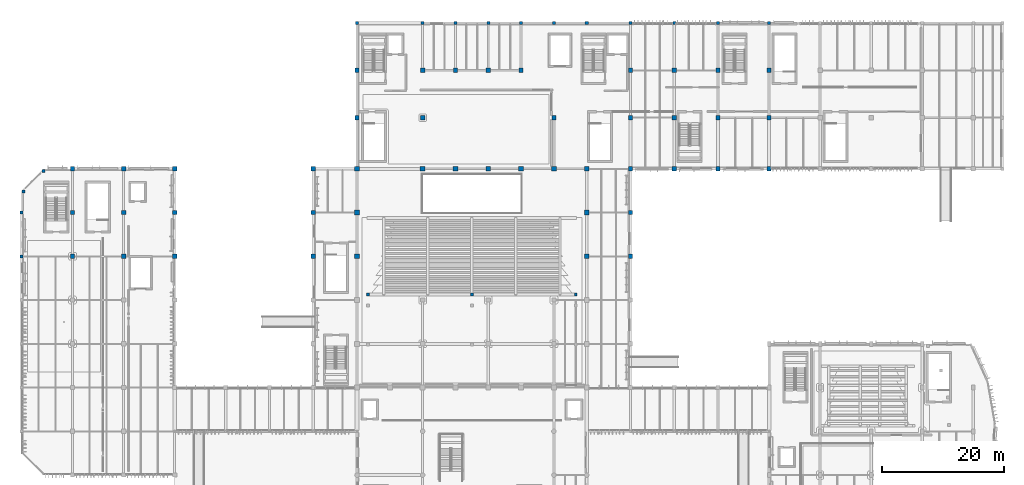
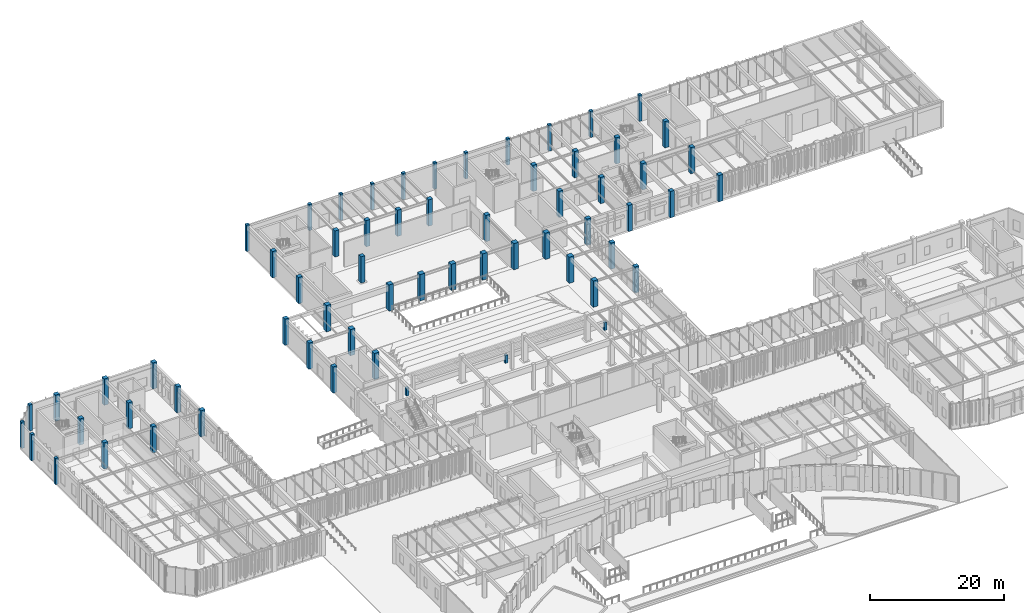
# One storey, part 8 of 122: 63 columns.
"""IFC4 building model written with IfcOpenShell, lengths in metres."""

from ifc_helpers import new_model, si_unit, direction, frame, origin, origin_2d, place, context, subcontext, project, spatial, rectangle, extrude, material, material_profile, profile_set, type_object, element, save


model = new_model("IFC4")

# Units and contexts
model_context = context("Model", 3, precision=1e-05, world=origin(), true_north=direction((0.0, 1.0)))
body_context = subcontext(model_context, "Body", "Model", "MODEL_VIEW")
ifc_project = project(units=[si_unit("LENGTHUNIT", "METRE"), si_unit("AREAUNIT", "SQUARE_METRE"), si_unit("VOLUMEUNIT", "CUBIC_METRE"), si_unit("PLANEANGLEUNIT", "RADIAN"), si_unit("MASSUNIT", "GRAM", prefix="KILO")], contexts=[model_context])

# Site, building, storey
site_placement = place(None, origin())
site = spatial("IfcSite", under=ifc_project, at=site_placement, CompositionType="ELEMENT")
building_placement = place(site_placement, origin())
building = spatial("IfcBuilding", under=site, at=building_placement, Name="Tazoul Stagehouse", CompositionType="ELEMENT")
storey_placement = place(building_placement, origin())
storey = spatial("IfcBuildingStorey", under=building, at=storey_placement, Name="L00", CompositionType="ELEMENT", Elevation=0.0)

# Columns
ifc_material = material(Name="Concrete C40/50", Category="concrete")
ifc_material_profile_1 = material_profile(ifc_material, rectangle(XDim=0.449951171875, YDim=0.449951171875, at=origin_2d()), Name="RC 450x450")
ifc_profile_set_1 = profile_set([ifc_material_profile_1], Name="Concrete C40/50")
column_type_1 = type_object("IfcColumnType", Name="RC Column 450x450", PredefinedType="COLUMN", material=ifc_profile_set_1)
for number, where, z_axis, x_axis, name in (
    (1, (59.39990234375, 67.10009765625, 0.0), (0.0, 0.0, 1.0), (1.0, 0.0, 0.0), "L00 Bowl Support Column C-01 (V1-STALLS-RER-1)"),
    (2, (76.5, 67.10009765625, 0.0), (0.0, 0.0, 1.0), (1.0, 0.0, 0.0), "L00 Bowl Support Column C-01 (V1-STALLS-RER-2)"),
    (3, (93.60009765625, 67.10009765625, 0.0), (0.0, 0.0, 1.0), (1.0, 0.0, 0.0), "L00 Bowl Support Column C-01 (V1-STALLS-RER-3)"),
):
    element("IfcColumn", number, at=place(storey_placement, frame(where, z_axis=z_axis, x_axis=x_axis)), inside=storey, type_object=column_type_1, Name=name, PredefinedType="COLUMN", context=body_context, shape_type="SweptSolid", body=[
        extrude(rectangle(XDim=0.449951171875, YDim=0.449951171875, at=origin_2d()), origin(), (0.0, 0.0, 1.0), 1.4599609375),
    ])
ifc_material_profile_2 = material_profile(ifc_material, rectangle(XDim=0.5, YDim=0.5, at=origin_2d()), Name="RC 500x500")
ifc_profile_set_2 = profile_set([ifc_material_profile_2], Name="Concrete C40/50")
column_type_2 = type_object("IfcColumnType", Name="RC Column 500x500 (Exterior)", PredefinedType="COLUMN", material=ifc_profile_set_2)
for number, where, z_axis, x_axis, name in (
    (4, (2.39990234375, 73.39990234375, 0.0), (0.0, 0.0, 1.0), (1.0, 0.0, 0.0), "L00 Column C-02E at 1/L"),
    (5, (2.39990234375, 80.60009765625, 0.0), (0.0, 0.0, 1.0), (1.0, 0.0, 0.0), "L00 Column C-02E at 1/M"),
    (6, (68.39990234375, 111.800048828125, 0.0), (0.0, 0.0, 1.0), (1.0, 0.0, 0.0), "L00 Column C-02E at 10/R"),
    (7, (73.800048828125, 111.800048828125, 0.0), (0.0, 0.0, 1.0), (1.0, 0.0, 0.0), "L00 Column C-02E at 11/R"),
    (8, (79.199951171875, 111.800048828125, 0.0), (0.0, 0.0, 1.0), (1.0, 0.0, 0.0), "L00 Column C-02E at 12/R"),
    (9, (84.60009765625, 111.800048828125, 0.0), (0.0, 0.0, 1.0), (1.0, 0.0, 0.0), "L00 Column C-02E at 13/R"),
    (10, (90.0, 111.800048828125, 0.0), (0.0, 0.0, 1.0), (1.0, 0.0, 0.0), "L00 Column C-02E at 14/R"),
    (11, (95.39990234375, 111.800048828125, 0.0), (0.0, 0.0, 1.0), (1.0, 0.0, 0.0), "L00 Column C-02E at 15/R"),
    (12, (102.60009765625, 111.800048828125, 0.0), (0.0, 0.0, 1.0), (1.0, 0.0, 0.0), "L00 Column C-02E at 16/R"),
    (13, (109.800048828125, 111.800048828125, 0.0), (0.0, 0.0, 1.0), (1.0, 0.0, 0.0), "L00 Column C-02E at 17/R"),
    (14, (117.0, 111.800048828125, 0.0), (0.0, 0.0, 1.0), (1.0, 0.0, 0.0), "L00 Column C-02E at 18/R"),
    (15, (125.39990234375, 111.800048828125, 0.0), (0.0, 0.0, 1.0), (1.0, 0.0, 0.0), "L00 Column C-02E at 19/R"),
    (16, (57.60009765625, 111.800048828125, 0.0), (0.0, 0.0, 1.0), (1.0, 0.0, 0.0), "L00 Column C-02E at 8/R"),
    (17, (6.0, 87.449951171875, 0.0), (0.0, 0.0, 1.0), (1.0, 0.0, 0.0), "L00 Black-Box Chamfer Column C-02E (1)"),
    (18, (2.75, 84.10009765625, 0.0), (0.0, 0.0, 1.0), (1.0, 0.0, 0.0), "L00 Black-Box Chamfer Column C-02E (2)"),
):
    element("IfcColumn", number, at=place(storey_placement, frame(where, z_axis=z_axis, x_axis=x_axis)), inside=storey, type_object=column_type_2, Name=name, PredefinedType="COLUMN", context=body_context, shape_type="SweptSolid", body=[
        extrude(rectangle(XDim=0.5, YDim=0.5, at=origin_2d()), origin(), (0.0, 0.0, 1.0), 4.800048828125),
    ])
ifc_material_profile_3 = material_profile(ifc_material, rectangle(XDim=0.699951171875, YDim=0.699951171875, at=origin_2d()), Name="RC 700x700")
ifc_profile_set_3 = profile_set([ifc_material_profile_3], Name="Concrete C40/50")
column_type_3 = type_object("IfcColumnType", Name="RC Column 700x700", PredefinedType="COLUMN", material=ifc_profile_set_3)
for number, where, z_axis, x_axis, name in (
    (19, (68.39990234375, 96.199951171875, 0.0), (0.0, 0.0, 1.0), (1.0, 0.0, 0.0), "L00 Column C-04 at 10/P"),
    (20, (68.39990234375, 104.0, 0.0), (0.0, 0.0, 1.0), (1.0, 0.0, 0.0), "L00 Column C-04 at 10/Q"),
    (21, (73.800048828125, 104.0, 0.0), (0.0, 0.0, 1.0), (1.0, 0.0, 0.0), "L00 Column C-04 at 11/Q"),
    (22, (79.199951171875, 104.0, 0.0), (0.0, 0.0, 1.0), (1.0, 0.0, 0.0), "L00 Column C-04 at 12/Q"),
    (23, (84.60009765625, 104.0, 0.0), (0.0, 0.0, 1.0), (1.0, 0.0, 0.0), "L00 Column C-04 at 13/Q"),
    (24, (90.0, 96.199951171875, 0.0), (0.0, 0.0, 1.0), (1.0, 0.0, 0.0), "L00 Column C-04 at 14/P"),
    (25, (102.60009765625, 96.199951171875, 0.0), (0.0, 0.0, 1.0), (1.0, 0.0, 0.0), "L00 Column C-04 at 16/P"),
    (26, (102.60009765625, 104.0, 0.0), (0.0, 0.0, 1.0), (1.0, 0.0, 0.0), "L00 Column C-04 at 16/Q"),
    (27, (109.800048828125, 96.199951171875, 0.0), (0.0, 0.0, 1.0), (1.0, 0.0, 0.0), "L00 Column C-04 at 17/P"),
    (28, (109.800048828125, 104.0, 0.0), (0.0, 0.0, 1.0), (1.0, 0.0, 0.0), "L00 Column C-04 at 17/Q"),
    (29, (117.0, 96.199951171875, 0.0), (0.0, 0.0, 1.0), (1.0, 0.0, 0.0), "L00 Column C-04 at 18/P"),
    (30, (117.0, 104.0, 0.0), (0.0, 0.0, 1.0), (1.0, 0.0, 0.0), "L00 Column C-04 at 18/Q"),
    (31, (125.39990234375, 96.199951171875, 0.0), (0.0, 0.0, 1.0), (1.0, 0.0, 0.0), "L00 Column C-04 at 19/P"),
    (32, (125.39990234375, 104.0, 0.0), (0.0, 0.0, 1.0), (1.0, 0.0, 0.0), "L00 Column C-04 at 19/Q"),
    (33, (10.800048828125, 73.39990234375, 0.0), (0.0, 0.0, 1.0), (1.0, 0.0, 0.0), "L00 Column C-04 at 2/L"),
    (34, (10.800048828125, 80.60009765625, 0.0), (0.0, 0.0, 1.0), (1.0, 0.0, 0.0), "L00 Column C-04 at 2/M"),
    (35, (19.199951171875, 73.39990234375, 0.0), (0.0, 0.0, 1.0), (1.0, 0.0, 0.0), "L00 Column C-04 at 3/L"),
    (36, (19.199951171875, 80.60009765625, 0.0), (0.0, 0.0, 1.0), (1.0, 0.0, 0.0), "L00 Column C-04 at 3/M"),
):
    element("IfcColumn", number, at=place(storey_placement, frame(where, z_axis=z_axis, x_axis=x_axis)), inside=storey, type_object=column_type_3, Name=name, PredefinedType="COLUMN", context=body_context, shape_type="SweptSolid", body=[
        extrude(rectangle(XDim=0.699951171875, YDim=0.699951171875, at=origin_2d()), origin(), (0.0, 0.0, 1.0), 4.800048828125),
    ])
ifc_material_profile_4 = material_profile(ifc_material, rectangle(XDim=0.699951171875, YDim=0.699951171875, at=origin_2d()), Name="RC 700x700")
ifc_profile_set_4 = profile_set([ifc_material_profile_4], Name="Concrete C40/50")
column_type_4 = type_object("IfcColumnType", Name="RC Column 700x700 (Exterior)", PredefinedType="COLUMN", material=ifc_profile_set_4)
for number, where, z_axis, x_axis, name in (
    (37, (102.60009765625, 73.39990234375, 0.0), (0.0, 0.0, 1.0), (1.0, 0.0, 0.0), "L00 Column C-04E at 16/L"),
    (38, (102.60009765625, 80.60009765625, 0.0), (0.0, 0.0, 1.0), (1.0, 0.0, 0.0), "L00 Column C-04E at 16/M"),
    (39, (102.60009765625, 87.800048828125, 0.0), (0.0, 0.0, 1.0), (1.0, 0.0, 0.0), "L00 Column C-04E at 16/N"),
    (40, (109.800048828125, 87.800048828125, 0.0), (0.0, 0.0, 1.0), (1.0, 0.0, 0.0), "L00 Column C-04E at 17/N"),
    (41, (117.0, 87.800048828125, 0.0), (0.0, 0.0, 1.0), (1.0, 0.0, 0.0), "L00 Column C-04E at 18/N"),
    (42, (125.39990234375, 87.800048828125, 0.0), (0.0, 0.0, 1.0), (1.0, 0.0, 0.0), "L00 Column C-04E at 19/N"),
    (43, (10.800048828125, 87.800048828125, 0.0), (0.0, 0.0, 1.0), (1.0, 0.0, 0.0), "L00 Column C-04E at 2/N"),
    (44, (19.199951171875, 87.800048828125, 0.0), (0.0, 0.0, 1.0), (1.0, 0.0, 0.0), "L00 Column C-04E at 3/N"),
    (45, (27.60009765625, 73.39990234375, 0.0), (0.0, 0.0, 1.0), (1.0, 0.0, 0.0), "L00 Column C-04E at 4/L"),
    (46, (27.60009765625, 80.60009765625, 0.0), (0.0, 0.0, 1.0), (1.0, 0.0, 0.0), "L00 Column C-04E at 4/M"),
    (47, (27.60009765625, 87.800048828125, 0.0), (0.0, 0.0, 1.0), (1.0, 0.0, 0.0), "L00 Column C-04E at 4/N"),
    (48, (50.39990234375, 73.39990234375, 0.0), (0.0, 0.0, 1.0), (1.0, 0.0, 0.0), "L00 Column C-04E at 7/L"),
    (49, (50.39990234375, 80.60009765625, 0.0), (0.0, 0.0, 1.0), (1.0, 0.0, 0.0), "L00 Column C-04E at 7/M"),
    (50, (50.39990234375, 87.800048828125, 0.0), (0.0, 0.0, 1.0), (1.0, 0.0, 0.0), "L00 Column C-04E at 7/N"),
    (51, (57.60009765625, 96.199951171875, 0.0), (0.0, 0.0, 1.0), (1.0, 0.0, 0.0), "L00 Column C-04E at 8/P"),
    (52, (57.60009765625, 104.0, 0.0), (0.0, 0.0, 1.0), (1.0, 0.0, 0.0), "L00 Column C-04E at 8/Q"),
):
    element("IfcColumn", number, at=place(storey_placement, frame(where, z_axis=z_axis, x_axis=x_axis)), inside=storey, type_object=column_type_4, Name=name, PredefinedType="COLUMN", context=body_context, shape_type="SweptSolid", body=[
        extrude(rectangle(XDim=0.699951171875, YDim=0.699951171875, at=origin_2d()), origin(), (0.0, 0.0, 1.0), 4.800048828125),
    ])
ifc_material_profile_5 = material_profile(ifc_material, rectangle(XDim=0.800048828125, YDim=0.800048828125, at=origin_2d()), Name="RC 800x800")
ifc_profile_set_5 = profile_set([ifc_material_profile_5], Name="Concrete C40/50")
column_type_5 = type_object("IfcColumnType", Name="RC Column 800x800", PredefinedType="COLUMN", material=ifc_profile_set_5)
for number, where, z_axis, x_axis, name in (
    (53, (68.39990234375, 87.800048828125, 0.0), (0.0, 0.0, 1.0), (1.0, 0.0, 0.0), "L00 Column C-05 at 10/N"),
    (54, (73.800048828125, 87.800048828125, 0.0), (0.0, 0.0, 1.0), (1.0, 0.0, 0.0), "L00 Column C-05 at 11/N"),
    (55, (79.199951171875, 87.800048828125, 0.0), (0.0, 0.0, 1.0), (1.0, 0.0, 0.0), "L00 Column C-05 at 12/N"),
    (56, (84.60009765625, 87.800048828125, 0.0), (0.0, 0.0, 1.0), (1.0, 0.0, 0.0), "L00 Column C-05 at 13/N"),
    (57, (90.0, 87.800048828125, 0.0), (0.0, 0.0, 1.0), (1.0, 0.0, 0.0), "L00 Column C-05 at 14/N"),
    (58, (95.39990234375, 73.39990234375, 0.0), (0.0, 0.0, 1.0), (1.0, 0.0, 0.0), "L00 Column C-05 at 15/L"),
    (59, (95.39990234375, 80.60009765625, 0.0), (0.0, 0.0, 1.0), (1.0, 0.0, 0.0), "L00 Column C-05 at 15/M"),
    (60, (95.39990234375, 87.800048828125, 0.0), (0.0, 0.0, 1.0), (1.0, 0.0, 0.0), "L00 Column C-05 at 15/N"),
    (61, (57.60009765625, 73.39990234375, 0.0), (0.0, 0.0, 1.0), (1.0, 0.0, 0.0), "L00 Column C-05 at 8/L"),
    (62, (57.60009765625, 80.60009765625, 0.0), (0.0, 0.0, 1.0), (1.0, 0.0, 0.0), "L00 Column C-05 at 8/M"),
):
    element("IfcColumn", number, at=place(storey_placement, frame(where, z_axis=z_axis, x_axis=x_axis)), inside=storey, type_object=column_type_5, Name=name, PredefinedType="COLUMN", context=body_context, shape_type="SweptSolid", body=[
        extrude(rectangle(XDim=0.800048828125, YDim=0.800048828125, at=origin_2d()), origin(), (0.0, 0.0, 1.0), 4.800048828125),
    ])
ifc_material_profile_6 = material_profile(ifc_material, rectangle(XDim=0.800048828125, YDim=0.800048828125, at=origin_2d()), Name="RC 800x800")
ifc_profile_set_6 = profile_set([ifc_material_profile_6], Name="Concrete C40/50")
column_type_6 = type_object("IfcColumnType", Name="RC Column 800x800 (Exterior)", PredefinedType="COLUMN", material=ifc_profile_set_6)
column_placement = place(storey_placement, frame((57.60009765625, 87.800048828125, 0.0), z_axis=(0.0, 0.0, 1.0), x_axis=(1.0, 0.0, 0.0)))
element("IfcColumn", 63, at=column_placement, inside=storey, type_object=column_type_6, Name="L00 Column C-05E at 8/N", PredefinedType="COLUMN", context=body_context, shape_type="SweptSolid", body=[
    extrude(rectangle(XDim=0.800048828125, YDim=0.800048828125, at=origin_2d()), origin(), (0.0, 0.0, 1.0), 4.800048828125),
])

save(model, "model.ifc")
